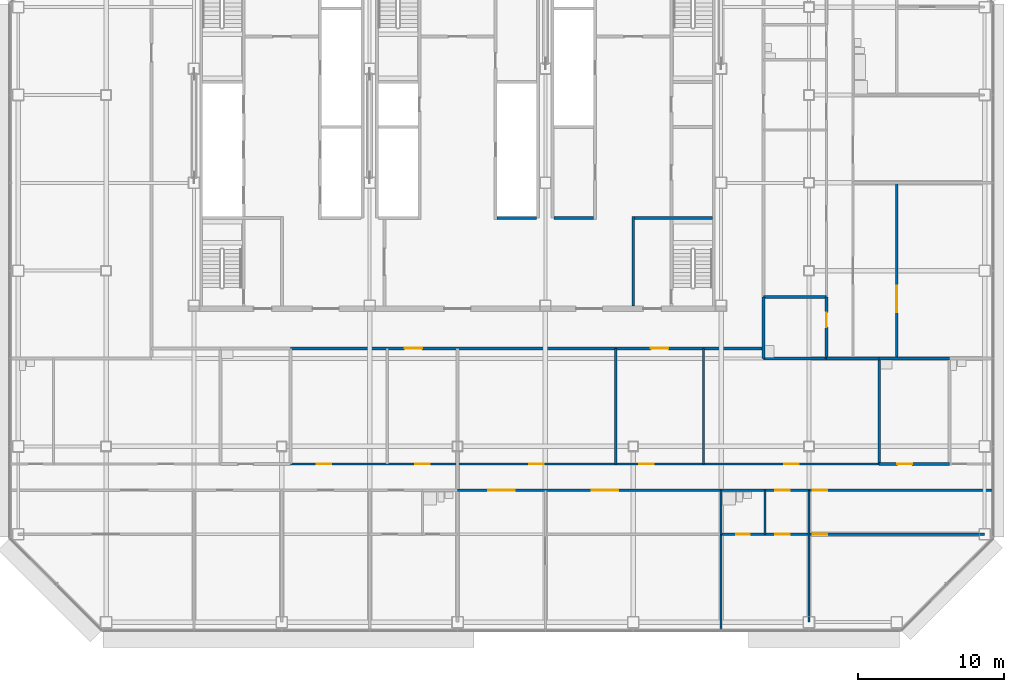
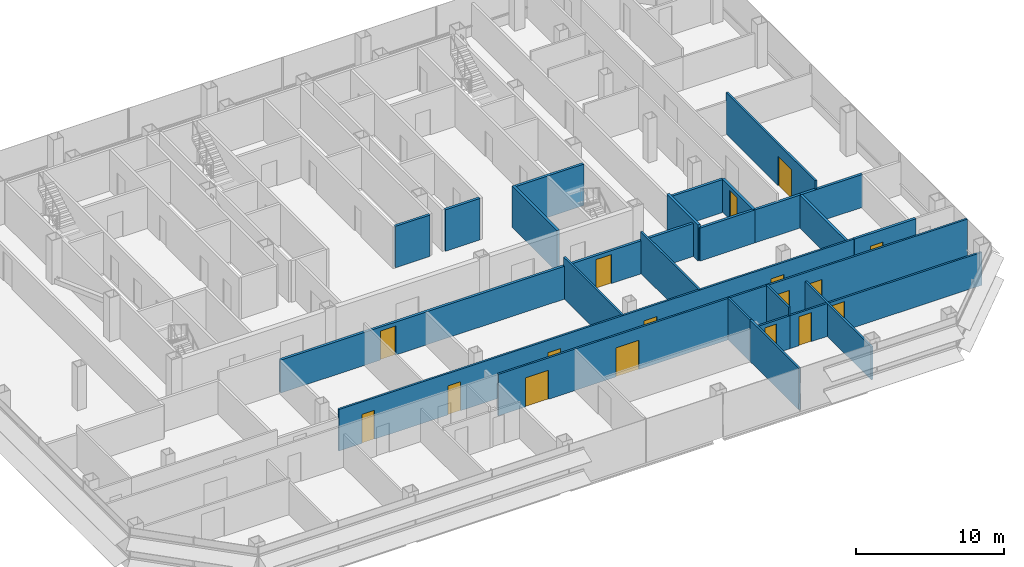
# One storey, part 20 of 25: 26 walls, 17 doors, 17 openings.
"""IFC4 building model written with IfcOpenShell, lengths in metres."""

from ifc_helpers import new_model, si_unit, direction, frame, frame_2d, origin, place, context, subcontext, project, spatial, rectangle, extrude, material, layer, layer_set, type_object, element, fill, save


model = new_model("IFC4")

# Units and contexts
model_context = context("Model", 3, precision=1e-05, world=origin(), true_north=direction((0.0, 1.0)))
body_context = subcontext(model_context, "Body", "Model", "MODEL_VIEW")
ifc_project = project(units=[si_unit("LENGTHUNIT", "METRE"), si_unit("AREAUNIT", "SQUARE_METRE"), si_unit("VOLUMEUNIT", "CUBIC_METRE"), si_unit("PLANEANGLEUNIT", "RADIAN"), si_unit("MASSUNIT", "GRAM", prefix="KILO")], contexts=[model_context])

# Site, building, storey
site_placement = place(None, origin())
site = spatial("IfcSite", under=ifc_project, at=site_placement, CompositionType="ELEMENT")
building_placement = place(site_placement, origin())
building = spatial("IfcBuilding", under=site, at=building_placement, Name="Sorahane Residences", CompositionType="ELEMENT")
storey_placement = place(building_placement, frame((0.0, 0.0, 99.800048828125)))
storey = spatial("IfcBuildingStorey", under=building, at=storey_placement, Name="L21", CompositionType="ELEMENT", Elevation=99.800048828125)

# Wall, openings, doors
ifc_material_1 = material(Name="Concrete blockwork C20 wall", Category="masonry")
ifc_layer_1 = layer(ifc_material_1, 0.199951171875)
ifc_layer_set_1 = layer_set([ifc_layer_1], Name="Corridor wall 200 EI 120")
wall_type_1 = type_object("IfcWallType", Name="Corridor wall 200 EI 120", PredefinedType="SOLIDWALL", material=ifc_layer_set_1)
wall_1_placement = place(storey_placement, frame((12.60009765625, 18.699951171875, 0.0), z_axis=(0.0, 0.0, 1.0), x_axis=(1.0, 0.0, 0.0)))
wall_1 = element("IfcWall", 1, at=wall_1_placement, inside=storey, type_object=wall_type_1, Name="L21 corridor wall", PredefinedType="SOLIDWALL", context=body_context, shape_type="SweptSolid", body=[
    extrude(rectangle(XDim=32.2998046875, YDim=0.199951171875, at=frame_2d((16.14990234375, 0.0))), origin(), (0.0, 0.0, 1.0), 2.719970703125),
])
opening_1_placement = place(wall_1_placement, frame((7.780029296875, 0.0, 0.0)))
opening_1 = element("IfcOpeningElement", 2, at=opening_1_placement, cuts=wall_1, Name="Opening L21-38", PredefinedType="OPENING", context=body_context, shape_type="SweptSolid", body=[
    extrude(rectangle(XDim=1.199951171875, YDim=2.39990234375, at=frame_2d((0.60009765625, 1.199951171875))), frame((0.0, 0.10986328125, 0.0), z_axis=(0.0, -1.0, 0.0), x_axis=(1.0, 0.0, 0.0)), (0.0, 0.0, 1.0), 0.219970703125),
])
opening_2_placement = place(wall_1_placement, frame((24.60009765625, 0.0, 0.0)))
opening_2 = element("IfcOpeningElement", 3, at=opening_2_placement, cuts=wall_1, Name="Opening L21-39", PredefinedType="OPENING", context=body_context, shape_type="SweptSolid", body=[
    extrude(rectangle(XDim=1.199951171875, YDim=2.39990234375, at=frame_2d((0.60009765625, 1.199951171875))), frame((0.0, 0.10986328125, 0.0), z_axis=(0.0, -1.0, 0.0), x_axis=(1.0, 0.0, 0.0)), (0.0, 0.0, 1.0), 0.219970703125),
])
ifc_material_2 = material(Name="Timber veneered fire door", Category="wood")
door_type_1 = type_object("IfcDoorType", Name="Flat entrance door 1200x2400 FD60", OperationType="NOTDEFINED", PredefinedType="DOOR", material=ifc_material_2)
door_1_placement = place(opening_1_placement, frame((1.199951171875, 0.0, 0.0), z_axis=(0.0, 0.0, 1.0), x_axis=(-1.0, 0.0, 0.0)))
door_1 = element("IfcDoor", 4, at=door_1_placement, inside=storey, type_object=door_type_1, Name="Flat entrance door L21-38", OperationType="SINGLE_SWING_LEFT", OverallHeight=2.39990234375, OverallWidth=1.199951171875, PredefinedType="DOOR", context=body_context, shape_type="SweptSolid", body=[
    extrude(rectangle(XDim=1.199951171875, YDim=2.39990234375, at=frame_2d((0.60009765625, 1.199951171875))), frame((0.0, 0.02490234375, 0.0), z_axis=(0.0, -1.0, 0.0), x_axis=(1.0, 0.0, 0.0)), (0.0, 0.0, 1.0), 0.050048828125),
])
fill(opening_1, door_1)
door_2_placement = place(opening_2_placement, frame((1.199951171875, 0.0, 0.0), z_axis=(0.0, 0.0, 1.0), x_axis=(-1.0, 0.0, 0.0)))
door_2 = element("IfcDoor", 5, at=door_2_placement, inside=storey, type_object=door_type_1, Name="Flat entrance door L21-39", OperationType="SINGLE_SWING_LEFT", OverallHeight=2.39990234375, OverallWidth=1.199951171875, PredefinedType="DOOR", context=body_context, shape_type="SweptSolid", body=[
    extrude(rectangle(XDim=1.199951171875, YDim=2.39990234375, at=frame_2d((0.60009765625, 1.199951171875))), frame((0.0, 0.02490234375, 0.0), z_axis=(0.0, -1.0, 0.0), x_axis=(1.0, 0.0, 0.0)), (0.0, 0.0, 1.0), 0.050048828125),
])
fill(opening_2, door_2)

# Walls
ifc_material_3 = material(Name="Concrete C30", Category="concrete")
ifc_layer_2 = layer(ifc_material_3, 0.199951171875)
ifc_layer_set_2 = layer_set([ifc_layer_2], Name="Front room wall 200 EI 120")
wall_type_2 = type_object("IfcWallType", Name="Front room wall 200 EI 120", PredefinedType="PARTITIONING", material=ifc_layer_set_2)
wall_2_placement = place(storey_placement, frame((36.0, 21.60009765625, 0.0), z_axis=(0.0, 0.0, 1.0), x_axis=(0.0, 1.0, 0.0)))
element("IfcWall", 6, at=wall_2_placement, inside=storey, type_object=wall_type_2, Name="L21 front room wall", PredefinedType="PARTITIONING", context=body_context, shape_type="SweptSolid", body=[
    extrude(rectangle(XDim=6.099853515625, YDim=0.199951171875, at=frame_2d((3.0498046875, 0.0))), origin(), (0.0, 0.0, 1.0), 3.419921875),
])
ifc_material_4 = material(Name="Concrete blockwork C20 wall", Category="masonry")
ifc_layer_3 = layer(ifc_material_4, 0.199951171875)
ifc_layer_set_3 = layer_set([ifc_layer_3], Name="Kitchen wall 200 EI 180")
wall_type_3 = type_object("IfcWallType", Name="Kitchen wall 200 EI 180", PredefinedType="SOLIDWALL", material=ifc_layer_set_3)
wall_3_placement = place(storey_placement, frame((44.89990234375, 18.0, 0.0), z_axis=(0.0, 0.0, 1.0), x_axis=(0.0, 1.0, 0.0)))
element("IfcWall", 7, at=wall_3_placement, inside=storey, type_object=wall_type_3, Name="L21 kitchen wall", PredefinedType="SOLIDWALL", context=body_context, shape_type="SweptSolid", body=[
    extrude(rectangle(XDim=4.199951171875, YDim=0.199951171875, at=frame_2d((2.10009765625, 0.0))), origin(), (0.0, 0.0, 1.0), 2.969970703125),
])

# Wall, opening, door
wall_4_placement = place(storey_placement, frame((49.199951171875, 18.0, 0.0), z_axis=(0.0, 0.0, 1.0), x_axis=(0.0, 1.0, 0.0)))
wall_4 = element("IfcWall", 8, at=wall_4_placement, inside=storey, type_object=wall_type_3, Name="L21 kitchen wall", PredefinedType="SOLIDWALL", context=body_context, shape_type="SweptSolid", body=[
    extrude(rectangle(XDim=4.199951171875, YDim=0.199951171875, at=frame_2d((2.10009765625, 0.0))), origin(), (0.0, 0.0, 1.0), 2.719970703125),
])
opening_3_placement = place(wall_4_placement, frame((2.139892578125, 0.0, 0.0)))
opening_3 = element("IfcOpeningElement", 9, at=opening_3_placement, cuts=wall_4, Name="Opening L21-27", PredefinedType="OPENING", context=body_context, shape_type="SweptSolid", body=[
    extrude(rectangle(XDim=1.0, YDim=2.39990234375, at=frame_2d((0.5, 1.199951171875))), frame((0.0, 0.10986328125, 0.0), z_axis=(0.0, -1.0, 0.0), x_axis=(1.0, 0.0, 0.0)), (0.0, 0.0, 1.0), 0.219970703125),
])
ifc_material_5 = material(Name="Steel", Category="steel")
door_type_2 = type_object("IfcDoorType", Name="Kitchen door 1000x2400 FD120", OperationType="NOTDEFINED", PredefinedType="DOOR", material=ifc_material_5)
door_3_placement = place(opening_3_placement, origin())
door_3 = element("IfcDoor", 10, at=door_3_placement, inside=storey, type_object=door_type_2, Name="Kitchen door L21-27", OperationType="SINGLE_SWING_LEFT", OverallHeight=2.39990234375, OverallWidth=1.0, PredefinedType="DOOR", context=body_context, shape_type="SweptSolid", body=[
    extrude(rectangle(XDim=1.0, YDim=2.39990234375, at=frame_2d((0.5, 1.199951171875))), frame((0.0, 0.02490234375, 0.0), z_axis=(0.0, -1.0, 0.0), x_axis=(1.0, 0.0, 0.0)), (0.0, 0.0, 1.0), 0.050048828125),
])
fill(opening_3, door_3)

# Wall
wall_5_placement = place(storey_placement, frame((52.800048828125, 10.800048828125, 0.0), z_axis=(0.0, 0.0, 1.0), x_axis=(0.0, 1.0, 0.0)))
element("IfcWall", 11, at=wall_5_placement, inside=storey, type_object=wall_type_3, Name="L21 kitchen wall", PredefinedType="SOLIDWALL", context=body_context, shape_type="SweptSolid", body=[
    extrude(rectangle(XDim=7.199951171875, YDim=0.199951171875, at=frame_2d((3.60009765625, 0.0))), origin(), (0.0, 0.0, 1.0), 2.719970703125),
])

# Wall, opening, door
wall_6_placement = place(storey_placement, frame((52.800048828125, 10.800048828125, 0.0), z_axis=(0.0, 0.0, 1.0), x_axis=(1.0, 0.0, 0.0)))
wall_6 = element("IfcWall", 12, at=wall_6_placement, inside=storey, type_object=wall_type_3, Name="L21 kitchen wall", PredefinedType="SOLIDWALL", context=body_context, shape_type="SweptSolid", body=[
    extrude(rectangle(XDim=4.800048828125, YDim=0.199951171875, at=frame_2d((2.39990234375, 0.0))), origin(), (0.0, 0.0, 1.0), 3.419921875),
])
opening_4_placement = place(wall_6_placement, frame((1.239990234375, 0.0, 0.0)))
opening_4 = element("IfcOpeningElement", 13, at=opening_4_placement, cuts=wall_6, Name="Opening L21-16", PredefinedType="OPENING", context=body_context, shape_type="SweptSolid", body=[
    extrude(rectangle(XDim=1.0, YDim=2.39990234375, at=frame_2d((0.5, 1.199951171875))), frame((0.0, 0.10986328125, 0.0), z_axis=(0.0, -1.0, 0.0), x_axis=(1.0, 0.0, 0.0)), (0.0, 0.0, 1.0), 0.219970703125),
])
door_4_placement = place(opening_4_placement, origin())
door_4 = element("IfcDoor", 14, at=door_4_placement, inside=storey, type_object=door_type_2, Name="Kitchen door L21-16", OperationType="SINGLE_SWING_LEFT", OverallHeight=2.39990234375, OverallWidth=1.0, PredefinedType="DOOR", context=body_context, shape_type="SweptSolid", body=[
    extrude(rectangle(XDim=1.0, YDim=2.39990234375, at=frame_2d((0.5, 1.199951171875))), frame((0.0, 0.02490234375, 0.0), z_axis=(0.0, -1.0, 0.0), x_axis=(1.0, 0.0, 0.0)), (0.0, 0.0, 1.0), 0.050048828125),
])
fill(opening_4, door_4)

# Walls
wall_7_placement = place(storey_placement, frame((44.89990234375, 18.0, 0.0), z_axis=(0.0, 0.0, 1.0), x_axis=(1.0, 0.0, 0.0)))
element("IfcWall", 15, at=wall_7_placement, inside=storey, type_object=wall_type_3, Name="L21 kitchen wall", PredefinedType="SOLIDWALL", context=body_context, shape_type="SweptSolid", body=[
    extrude(rectangle(XDim=4.300048828125, YDim=0.199951171875, at=frame_2d((2.14990234375, 0.0))), origin(), (0.0, 0.0, 1.0), 2.719970703125),
])
wall_8_placement = place(storey_placement, frame((52.800048828125, 18.0, 0.0), z_axis=(0.0, 0.0, 1.0), x_axis=(1.0, 0.0, 0.0)))
element("IfcWall", 16, at=wall_8_placement, inside=storey, type_object=wall_type_3, Name="L21 kitchen wall", PredefinedType="SOLIDWALL", context=body_context, shape_type="SweptSolid", body=[
    extrude(rectangle(XDim=4.800048828125, YDim=0.199951171875, at=frame_2d((2.39990234375, 0.0))), origin(), (0.0, 0.0, 1.0), 2.719970703125),
])
wall_9_placement = place(storey_placement, frame((44.89990234375, 22.199951171875, 0.0), z_axis=(0.0, 0.0, 1.0), x_axis=(1.0, 0.0, 0.0)))
element("IfcWall", 17, at=wall_9_placement, inside=storey, type_object=wall_type_3, Name="L21 kitchen wall", PredefinedType="SOLIDWALL", context=body_context, shape_type="SweptSolid", body=[
    extrude(rectangle(XDim=4.300048828125, YDim=0.199951171875, at=frame_2d((2.14990234375, 0.0))), origin(), (0.0, 0.0, 1.0), 2.719970703125),
])
ifc_material_6 = material(Name="Gypsum board partition on steel studs", Category="steel")
ifc_layer_4 = layer(ifc_material_6, 0.14990234375)
ifc_layer_set_4 = layer_set([ifc_layer_4], Name="Partition 150 EI 90")
wall_type_4 = type_object("IfcWallType", Name="Partition 150 EI 90", PredefinedType="PARTITIONING", material=ifc_layer_set_4)
for number, where, z_axis, x_axis, name in (
    (18, (34.800048828125, 10.800048828125, 0.0), (0.0, 0.0, 1.0), (0.0, 1.0, 0.0), "L21 partition"),
    (19, (40.800048828125, 10.800048828125, 0.0), (0.0, 0.0, 1.0), (0.0, 1.0, 0.0), "L21 partition"),
):
    element("IfcWall", number, at=place(storey_placement, frame(where, z_axis=z_axis, x_axis=x_axis)), inside=storey, type_object=wall_type_4, Name=name, PredefinedType="PARTITIONING", context=body_context, shape_type="SweptSolid", body=[
        extrude(rectangle(XDim=7.89990234375, YDim=0.14990234375, at=frame_2d((3.949951171875, 0.0))), origin(), (0.0, 0.0, 1.0), 3.419921875),
    ])
wall_10_placement = place(storey_placement, frame((42.0, -0.60009765625, 0.0), z_axis=(0.0, 0.0, 1.0), x_axis=(0.0, 1.0, 0.0)))
element("IfcWall", 20, at=wall_10_placement, inside=storey, type_object=wall_type_4, Name="L21 partition", PredefinedType="PARTITIONING", context=body_context, shape_type="SweptSolid", body=[
    extrude(rectangle(XDim=6.60009765625, YDim=0.14990234375, at=frame_2d((3.300048828125, 0.0))), origin(), (0.0, 0.0, 1.0), 3.419921875),
])
wall_11_placement = place(storey_placement, frame((48.0, 0.0, 0.0), z_axis=(0.0, 0.0, 1.0), x_axis=(0.0, 1.0, 0.0)))
element("IfcWall", 21, at=wall_11_placement, inside=storey, type_object=wall_type_4, Name="L21 partition", PredefinedType="PARTITIONING", context=body_context, shape_type="SweptSolid", body=[
    extrude(rectangle(XDim=9.0, YDim=0.14990234375, at=frame_2d((4.5, 0.0))), origin(), (0.0, 0.0, 1.0), 2.719970703125),
])

# Wall, opening, door
wall_12_placement = place(storey_placement, frame((54.0, 18.0, 0.0), z_axis=(0.0, 0.0, 1.0), x_axis=(0.0, 1.0, 0.0)))
wall_12 = element("IfcWall", 22, at=wall_12_placement, inside=storey, type_object=wall_type_4, Name="L21 partition", PredefinedType="PARTITIONING", context=body_context, shape_type="SweptSolid", body=[
    extrude(rectangle(XDim=12.0, YDim=0.14990234375, at=frame_2d((6.0, 0.0))), origin(), (0.0, 0.0, 1.0), 3.419921875),
])
opening_5_placement = place(wall_12_placement, frame((3.159912109375, 0.0, 0.0)))
opening_5 = element("IfcOpeningElement", 23, at=opening_5_placement, cuts=wall_12, Name="Opening L21-34", PredefinedType="OPENING", context=body_context, shape_type="SweptSolid", body=[
    extrude(rectangle(XDim=1.800048828125, YDim=2.39990234375, at=frame_2d((0.89990234375, 1.199951171875))), frame((0.0, 0.0849609375, 0.0), z_axis=(0.0, -1.0, 0.0), x_axis=(1.0, 0.0, 0.0)), (0.0, 0.0, 1.0), 0.169921875),
])
ifc_material_7 = material(Name="Timber veneered fire door", Category="wood")
door_type_3 = type_object("IfcDoorType", Name="Double door 1800x2400 FD30", OperationType="NOTDEFINED", PredefinedType="DOOR", material=ifc_material_7)
door_5_placement = place(opening_5_placement, frame((1.800048828125, 0.0, 0.0), z_axis=(0.0, 0.0, 1.0), x_axis=(-1.0, 0.0, 0.0)))
door_5 = element("IfcDoor", 24, at=door_5_placement, inside=storey, type_object=door_type_3, Name="Double door L21-34", OperationType="SINGLE_SWING_LEFT", OverallHeight=2.39990234375, OverallWidth=1.800048828125, PredefinedType="DOOR", context=body_context, shape_type="SweptSolid", body=[
    extrude(rectangle(XDim=1.800048828125, YDim=2.39990234375, at=frame_2d((0.89990234375, 1.199951171875))), frame((0.0, 0.02490234375, 0.0), z_axis=(0.0, -1.0, 0.0), x_axis=(1.0, 0.0, 0.0)), (0.0, 0.0, 1.0), 0.050048828125),
])
fill(opening_5, door_5)

# Wall, openings, doors
wall_13_placement = place(storey_placement, frame((12.60009765625, 10.800048828125, 0.0), z_axis=(0.0, 0.0, 1.0), x_axis=(1.0, 0.0, 0.0)))
wall_13 = element("IfcWall", 25, at=wall_13_placement, inside=storey, type_object=wall_type_4, Name="L21 partition", PredefinedType="PARTITIONING", context=body_context, shape_type="SweptSolid", body=[
    extrude(rectangle(XDim=40.199951171875, YDim=0.14990234375, at=frame_2d((20.10009765625, 0.0))), origin(), (0.0, 0.0, 1.0), 3.419921875),
])
opening_6_placement = place(wall_13_placement, frame((8.5, 0.0, 0.0)))
opening_6 = element("IfcOpeningElement", 26, at=opening_6_placement, cuts=wall_13, Name="Opening L21-01", PredefinedType="OPENING", context=body_context, shape_type="SweptSolid", body=[
    extrude(rectangle(XDim=1.0, YDim=2.39990234375, at=frame_2d((0.5, 1.199951171875))), frame((0.0, 0.0849609375, 0.0), z_axis=(0.0, -1.0, 0.0), x_axis=(1.0, 0.0, 0.0)), (0.0, 0.0, 1.0), 0.169921875),
])
opening_7_placement = place(wall_13_placement, frame((1.780029296875, 0.0, 0.0)))
opening_7 = element("IfcOpeningElement", 27, at=opening_7_placement, cuts=wall_13, Name="Opening L21-05", PredefinedType="OPENING", context=body_context, shape_type="SweptSolid", body=[
    extrude(rectangle(XDim=1.0, YDim=2.39990234375, at=frame_2d((0.5, 1.199951171875))), frame((0.0, 0.0849609375, 0.0), z_axis=(0.0, -1.0, 0.0), x_axis=(1.0, 0.0, 0.0)), (0.0, 0.0, 1.0), 0.169921875),
])
opening_8_placement = place(wall_13_placement, frame((23.800048828125, 0.0, 0.0)))
opening_8 = element("IfcOpeningElement", 28, at=opening_8_placement, cuts=wall_13, Name="Opening L21-13", PredefinedType="OPENING", context=body_context, shape_type="SweptSolid", body=[
    extrude(rectangle(XDim=1.0, YDim=2.39990234375, at=frame_2d((0.5, 1.199951171875))), frame((0.0, 0.0849609375, 0.0), z_axis=(0.0, -1.0, 0.0), x_axis=(1.0, 0.0, 0.0)), (0.0, 0.0, 1.0), 0.169921875),
])
opening_9_placement = place(wall_13_placement, frame((16.300048828125, 0.0, 0.0)))
opening_9 = element("IfcOpeningElement", 29, at=opening_9_placement, cuts=wall_13, Name="Opening L21-14", PredefinedType="OPENING", context=body_context, shape_type="SweptSolid", body=[
    extrude(rectangle(XDim=1.0, YDim=2.39990234375, at=frame_2d((0.5, 1.199951171875))), frame((0.0, 0.0849609375, 0.0), z_axis=(0.0, -1.0, 0.0), x_axis=(1.0, 0.0, 0.0)), (0.0, 0.0, 1.0), 0.169921875),
])
opening_10_placement = place(wall_13_placement, frame((33.699951171875, 0.0, 0.0)))
opening_10 = element("IfcOpeningElement", 30, at=opening_10_placement, cuts=wall_13, Name="Opening L21-15", PredefinedType="OPENING", context=body_context, shape_type="SweptSolid", body=[
    extrude(rectangle(XDim=1.0, YDim=2.39990234375, at=frame_2d((0.5, 1.199951171875))), frame((0.0, 0.0849609375, 0.0), z_axis=(0.0, -1.0, 0.0), x_axis=(1.0, 0.0, 0.0)), (0.0, 0.0, 1.0), 0.169921875),
])
ifc_material_8 = material(Name="Timber veneered fire door", Category="wood")
door_type_4 = type_object("IfcDoorType", Name="Room door 1000x2400 FD30", OperationType="NOTDEFINED", PredefinedType="DOOR", material=ifc_material_8)
door_6_placement = place(opening_6_placement, frame((1.0, 0.0, 0.0), z_axis=(0.0, 0.0, 1.0), x_axis=(-1.0, 0.0, 0.0)))
door_6 = element("IfcDoor", 31, at=door_6_placement, inside=storey, type_object=door_type_4, Name="Room door L21-01", OperationType="SINGLE_SWING_RIGHT", OverallHeight=2.39990234375, OverallWidth=1.0, PredefinedType="DOOR", context=body_context, shape_type="SweptSolid", body=[
    extrude(rectangle(XDim=1.0, YDim=2.39990234375, at=frame_2d((0.5, 1.199951171875))), frame((0.0, 0.02490234375, 0.0), z_axis=(0.0, -1.0, 0.0), x_axis=(1.0, 0.0, 0.0)), (0.0, 0.0, 1.0), 0.050048828125),
])
fill(opening_6, door_6)
door_7_placement = place(opening_7_placement, origin())
door_7 = element("IfcDoor", 32, at=door_7_placement, inside=storey, type_object=door_type_4, Name="Room door L21-05", OperationType="SINGLE_SWING_RIGHT", OverallHeight=2.39990234375, OverallWidth=1.0, PredefinedType="DOOR", context=body_context, shape_type="SweptSolid", body=[
    extrude(rectangle(XDim=1.0, YDim=2.39990234375, at=frame_2d((0.5, 1.199951171875))), frame((0.0, 0.02490234375, 0.0), z_axis=(0.0, -1.0, 0.0), x_axis=(1.0, 0.0, 0.0)), (0.0, 0.0, 1.0), 0.050048828125),
])
fill(opening_7, door_7)
door_8_placement = place(opening_8_placement, frame((1.0, 0.0, 0.0), z_axis=(0.0, 0.0, 1.0), x_axis=(-1.0, 0.0, 0.0)))
door_8 = element("IfcDoor", 33, at=door_8_placement, inside=storey, type_object=door_type_4, Name="Room door L21-13", OperationType="SINGLE_SWING_RIGHT", OverallHeight=2.39990234375, OverallWidth=1.0, PredefinedType="DOOR", context=body_context, shape_type="SweptSolid", body=[
    extrude(rectangle(XDim=1.0, YDim=2.39990234375, at=frame_2d((0.5, 1.199951171875))), frame((0.0, 0.02490234375, 0.0), z_axis=(0.0, -1.0, 0.0), x_axis=(1.0, 0.0, 0.0)), (0.0, 0.0, 1.0), 0.050048828125),
])
fill(opening_8, door_8)
door_9_placement = place(opening_9_placement, origin())
door_9 = element("IfcDoor", 34, at=door_9_placement, inside=storey, type_object=door_type_4, Name="Room door L21-14", OperationType="SINGLE_SWING_LEFT", OverallHeight=2.39990234375, OverallWidth=1.0, PredefinedType="DOOR", context=body_context, shape_type="SweptSolid", body=[
    extrude(rectangle(XDim=1.0, YDim=2.39990234375, at=frame_2d((0.5, 1.199951171875))), frame((0.0, 0.02490234375, 0.0), z_axis=(0.0, -1.0, 0.0), x_axis=(1.0, 0.0, 0.0)), (0.0, 0.0, 1.0), 0.050048828125),
])
fill(opening_9, door_9)
door_10_placement = place(opening_10_placement, origin())
door_10 = element("IfcDoor", 35, at=door_10_placement, inside=storey, type_object=door_type_4, Name="Room door L21-15", OperationType="SINGLE_SWING_RIGHT", OverallHeight=2.39990234375, OverallWidth=1.0, PredefinedType="DOOR", context=body_context, shape_type="SweptSolid", body=[
    extrude(rectangle(XDim=1.0, YDim=2.39990234375, at=frame_2d((0.5, 1.199951171875))), frame((0.0, 0.02490234375, 0.0), z_axis=(0.0, -1.0, 0.0), x_axis=(1.0, 0.0, 0.0)), (0.0, 0.0, 1.0), 0.050048828125),
])
fill(opening_10, door_10)

wall_14_placement = place(storey_placement, frame((45.0, 6.0, 0.0), z_axis=(0.0, 0.0, 1.0), x_axis=(1.0, 0.0, 0.0)))
wall_14 = element("IfcWall", 36, at=wall_14_placement, inside=storey, type_object=wall_type_4, Name="L21 partition", PredefinedType="PARTITIONING", context=body_context, shape_type="SweptSolid", body=[
    extrude(rectangle(XDim=15.0, YDim=0.14990234375, at=frame_2d((7.5, 0.0))), origin(), (0.0, 0.0, 1.0), 2.719970703125),
])
opening_11_placement = place(wall_14_placement, frame((0.699951171875, 0.0, 0.0)))
opening_11 = element("IfcOpeningElement", 37, at=opening_11_placement, cuts=wall_14, Name="Opening L21-23", PredefinedType="OPENING", context=body_context, shape_type="SweptSolid", body=[
    extrude(rectangle(XDim=1.0, YDim=2.39990234375, at=frame_2d((0.5, 1.199951171875))), frame((0.0, 0.0849609375, 0.0), z_axis=(0.0, -1.0, 0.0), x_axis=(1.0, 0.0, 0.0)), (0.0, 0.0, 1.0), 0.169921875),
])
opening_12_placement = place(wall_14_placement, frame((3.25, 0.0, 0.0)))
opening_12 = element("IfcOpeningElement", 38, at=opening_12_placement, cuts=wall_14, Name="Opening L21-25", PredefinedType="OPENING", context=body_context, shape_type="SweptSolid", body=[
    extrude(rectangle(XDim=1.0, YDim=2.39990234375, at=frame_2d((0.5, 1.199951171875))), frame((0.0, 0.0849609375, 0.0), z_axis=(0.0, -1.0, 0.0), x_axis=(1.0, 0.0, 0.0)), (0.0, 0.0, 1.0), 0.169921875),
])
door_11_placement = place(opening_11_placement, frame((1.0, 0.0, 0.0), z_axis=(0.0, 0.0, 1.0), x_axis=(-1.0, 0.0, 0.0)))
door_11 = element("IfcDoor", 39, at=door_11_placement, inside=storey, type_object=door_type_4, Name="Room door L21-23", OperationType="SINGLE_SWING_RIGHT", OverallHeight=2.39990234375, OverallWidth=1.0, PredefinedType="DOOR", context=body_context, shape_type="SweptSolid", body=[
    extrude(rectangle(XDim=1.0, YDim=2.39990234375, at=frame_2d((0.5, 1.199951171875))), frame((0.0, 0.02490234375, 0.0), z_axis=(0.0, -1.0, 0.0), x_axis=(1.0, 0.0, 0.0)), (0.0, 0.0, 1.0), 0.050048828125),
])
fill(opening_11, door_11)
door_12_placement = place(opening_12_placement, frame((1.0, 0.0, 0.0), z_axis=(0.0, 0.0, 1.0), x_axis=(-1.0, 0.0, 0.0)))
door_12 = element("IfcDoor", 40, at=door_12_placement, inside=storey, type_object=door_type_4, Name="Room door L21-25", OperationType="SINGLE_SWING_LEFT", OverallHeight=2.39990234375, OverallWidth=1.0, PredefinedType="DOOR", context=body_context, shape_type="SweptSolid", body=[
    extrude(rectangle(XDim=1.0, YDim=2.39990234375, at=frame_2d((0.5, 1.199951171875))), frame((0.0, 0.02490234375, 0.0), z_axis=(0.0, -1.0, 0.0), x_axis=(1.0, 0.0, 0.0)), (0.0, 0.0, 1.0), 0.050048828125),
])
fill(opening_12, door_12)

wall_15_placement = place(storey_placement, frame((24.0, 9.0, 0.0), z_axis=(0.0, 0.0, 1.0), x_axis=(1.0, 0.0, 0.0)))
wall_15 = element("IfcWall", 41, at=wall_15_placement, inside=storey, type_object=wall_type_4, Name="L21 partition", PredefinedType="PARTITIONING", context=body_context, shape_type="SweptSolid", body=[
    extrude(rectangle(XDim=18.0, YDim=0.14990234375, at=frame_2d((9.0, 0.0))), origin(), (0.0, 0.0, 1.0), 3.419921875),
])
opening_13_placement = place(wall_15_placement, frame((2.10009765625, 0.0, 0.0)))
opening_13 = element("IfcOpeningElement", 42, at=opening_13_placement, cuts=wall_15, Name="Opening L21-18", PredefinedType="OPENING", context=body_context, shape_type="SweptSolid", body=[
    extrude(rectangle(XDim=1.800048828125, YDim=2.39990234375, at=frame_2d((0.89990234375, 1.199951171875))), frame((0.0, 0.0849609375, 0.0), z_axis=(0.0, -1.0, 0.0), x_axis=(1.0, 0.0, 0.0)), (0.0, 0.0, 1.0), 0.169921875),
])
opening_14_placement = place(wall_15_placement, frame((9.159912109375, 0.0, 0.0)))
opening_14 = element("IfcOpeningElement", 43, at=opening_14_placement, cuts=wall_15, Name="Opening L21-20", PredefinedType="OPENING", context=body_context, shape_type="SweptSolid", body=[
    extrude(rectangle(XDim=1.800048828125, YDim=2.39990234375, at=frame_2d((0.89990234375, 1.199951171875))), frame((0.0, 0.0849609375, 0.0), z_axis=(0.0, -1.0, 0.0), x_axis=(1.0, 0.0, 0.0)), (0.0, 0.0, 1.0), 0.169921875),
])
door_13_placement = place(opening_13_placement, frame((1.800048828125, 0.0, 0.0), z_axis=(0.0, 0.0, 1.0), x_axis=(-1.0, 0.0, 0.0)))
door_13 = element("IfcDoor", 44, at=door_13_placement, inside=storey, type_object=door_type_3, Name="Double door L21-18", OperationType="SINGLE_SWING_LEFT", OverallHeight=2.39990234375, OverallWidth=1.800048828125, PredefinedType="DOOR", context=body_context, shape_type="SweptSolid", body=[
    extrude(rectangle(XDim=1.800048828125, YDim=2.39990234375, at=frame_2d((0.89990234375, 1.199951171875))), frame((0.0, 0.02490234375, 0.0), z_axis=(0.0, -1.0, 0.0), x_axis=(1.0, 0.0, 0.0)), (0.0, 0.0, 1.0), 0.050048828125),
])
fill(opening_13, door_13)
door_14_placement = place(opening_14_placement, frame((1.800048828125, 0.0, 0.0), z_axis=(0.0, 0.0, 1.0), x_axis=(-1.0, 0.0, 0.0)))
door_14 = element("IfcDoor", 45, at=door_14_placement, inside=storey, type_object=door_type_3, Name="Double door L21-20", OperationType="SINGLE_SWING_RIGHT", OverallHeight=2.39990234375, OverallWidth=1.800048828125, PredefinedType="DOOR", context=body_context, shape_type="SweptSolid", body=[
    extrude(rectangle(XDim=1.800048828125, YDim=2.39990234375, at=frame_2d((0.89990234375, 1.199951171875))), frame((0.0, 0.02490234375, 0.0), z_axis=(0.0, -1.0, 0.0), x_axis=(1.0, 0.0, 0.0)), (0.0, 0.0, 1.0), 0.050048828125),
])
fill(opening_14, door_14)

wall_16_placement = place(storey_placement, frame((45.0, 9.0, 0.0), z_axis=(0.0, 0.0, 1.0), x_axis=(1.0, 0.0, 0.0)))
wall_16 = element("IfcWall", 46, at=wall_16_placement, inside=storey, type_object=wall_type_4, Name="L21 partition", PredefinedType="PARTITIONING", context=body_context, shape_type="SweptSolid", body=[
    extrude(rectangle(XDim=15.60009765625, YDim=0.14990234375, at=frame_2d((7.800048828125, 0.0))), origin(), (0.0, 0.0, 1.0), 3.419921875),
])
opening_15_placement = place(wall_16_placement, frame((0.699951171875, 0.0, 0.0)))
opening_15 = element("IfcOpeningElement", 47, at=opening_15_placement, cuts=wall_16, Name="Opening L21-21", PredefinedType="OPENING", context=body_context, shape_type="SweptSolid", body=[
    extrude(rectangle(XDim=1.0, YDim=2.39990234375, at=frame_2d((0.5, 1.199951171875))), frame((0.0, 0.0849609375, 0.0), z_axis=(0.0, -1.0, 0.0), x_axis=(1.0, 0.0, 0.0)), (0.0, 0.0, 1.0), 0.169921875),
])
opening_16_placement = place(wall_16_placement, frame((3.25, 0.0, 0.0)))
opening_16 = element("IfcOpeningElement", 48, at=opening_16_placement, cuts=wall_16, Name="Opening L21-22", PredefinedType="OPENING", context=body_context, shape_type="SweptSolid", body=[
    extrude(rectangle(XDim=1.0, YDim=2.39990234375, at=frame_2d((0.5, 1.199951171875))), frame((0.0, 0.0849609375, 0.0), z_axis=(0.0, -1.0, 0.0), x_axis=(1.0, 0.0, 0.0)), (0.0, 0.0, 1.0), 0.169921875),
])
door_15_placement = place(opening_15_placement, frame((1.0, 0.0, 0.0), z_axis=(0.0, 0.0, 1.0), x_axis=(-1.0, 0.0, 0.0)))
door_15 = element("IfcDoor", 49, at=door_15_placement, inside=storey, type_object=door_type_4, Name="Room door L21-21", OperationType="SINGLE_SWING_RIGHT", OverallHeight=2.39990234375, OverallWidth=1.0, PredefinedType="DOOR", context=body_context, shape_type="SweptSolid", body=[
    extrude(rectangle(XDim=1.0, YDim=2.39990234375, at=frame_2d((0.5, 1.199951171875))), frame((0.0, 0.02490234375, 0.0), z_axis=(0.0, -1.0, 0.0), x_axis=(1.0, 0.0, 0.0)), (0.0, 0.0, 1.0), 0.050048828125),
])
fill(opening_15, door_15)
door_16_placement = place(opening_16_placement, frame((1.0, 0.0, 0.0), z_axis=(0.0, 0.0, 1.0), x_axis=(-1.0, 0.0, 0.0)))
door_16 = element("IfcDoor", 50, at=door_16_placement, inside=storey, type_object=door_type_4, Name="Room door L21-22", OperationType="SINGLE_SWING_LEFT", OverallHeight=2.39990234375, OverallWidth=1.0, PredefinedType="DOOR", context=body_context, shape_type="SweptSolid", body=[
    extrude(rectangle(XDim=1.0, YDim=2.39990234375, at=frame_2d((0.5, 1.199951171875))), frame((0.0, 0.02490234375, 0.0), z_axis=(0.0, -1.0, 0.0), x_axis=(1.0, 0.0, 0.0)), (0.0, 0.0, 1.0), 0.050048828125),
])
fill(opening_16, door_16)

# Walls
ifc_material_9 = material(Name="Concrete blockwork C20 wall", Category="masonry")
ifc_layer_5 = layer(ifc_material_9, 0.199951171875)
ifc_layer_set_5 = layer_set([ifc_layer_5], Name="Party wall 200 EI 120")
wall_type_5 = type_object("IfcWallType", Name="Party wall 200 EI 120", PredefinedType="SOLIDWALL", material=ifc_layer_set_5)
wall_17_placement = place(storey_placement, frame((49.199951171875, 18.0, 0.0), z_axis=(0.0, 0.0, 1.0), x_axis=(1.0, 0.0, 0.0)))
element("IfcWall", 51, at=wall_17_placement, inside=storey, type_object=wall_type_5, Name="L21 party wall", PredefinedType="SOLIDWALL", context=body_context, shape_type="SweptSolid", body=[
    extrude(rectangle(XDim=3.60009765625, YDim=0.199951171875, at=frame_2d((1.800048828125, 0.0))), origin(), (0.0, 0.0, 1.0), 2.719970703125),
])
ifc_material_10 = material(Name="Concrete C30", Category="concrete")
ifc_layer_6 = layer(ifc_material_10, 0.199951171875)
ifc_layer_set_6 = layer_set([ifc_layer_6], Name="Riser shaft wall 200 EI 120")
wall_type_6 = type_object("IfcWallType", Name="Riser shaft wall 200 EI 120", PredefinedType="SOLIDWALL", material=ifc_layer_set_6)
wall_18_placement = place(storey_placement, frame((26.699951171875, 27.60009765625, 0.0), z_axis=(0.0, 0.0, 1.0), x_axis=(1.0, 0.0, 0.0)))
element("IfcWall", 52, at=wall_18_placement, inside=storey, type_object=wall_type_6, Name="L21 riser wall", PredefinedType="SOLIDWALL", context=body_context, shape_type="SweptSolid", body=[
    extrude(rectangle(XDim=2.699951171875, YDim=0.199951171875, at=frame_2d((1.35009765625, 0.0))), origin(), (0.0, 0.0, 1.0), 3.419921875),
])
ifc_material_11 = material(Name="Concrete C30", Category="concrete")
ifc_layer_7 = layer(ifc_material_11, 0.199951171875)
ifc_layer_set_7 = layer_set([ifc_layer_7], Name="Service room partition 200 EI 60")
wall_type_7 = type_object("IfcWallType", Name="Service room partition 200 EI 60", PredefinedType="PARTITIONING", material=ifc_layer_set_7)
wall_19_placement = place(storey_placement, frame((30.60009765625, 27.60009765625, 0.0), z_axis=(0.0, 0.0, 1.0), x_axis=(1.0, 0.0, 0.0)))
element("IfcWall", 53, at=wall_19_placement, inside=storey, type_object=wall_type_7, Name="L21 service room wall", PredefinedType="PARTITIONING", context=body_context, shape_type="SweptSolid", body=[
    extrude(rectangle(XDim=2.699951171875, YDim=0.199951171875, at=frame_2d((1.35009765625, 0.0))), origin(), (0.0, 0.0, 1.0), 3.419921875),
])
ifc_material_12 = material(Name="Concrete C30", Category="concrete")
ifc_layer_8 = layer(ifc_material_12, 0.199951171875)
ifc_layer_set_8 = layer_set([ifc_layer_8], Name="Stair enclosure wall 200 EI 120")
wall_type_8 = type_object("IfcWallType", Name="Stair enclosure wall 200 EI 120", PredefinedType="SOLIDWALL", material=ifc_layer_set_8)
wall_20_placement = place(storey_placement, frame((36.10009765625, 27.60009765625, 0.0), z_axis=(0.0, 0.0, 1.0), x_axis=(1.0, 0.0, 0.0)))
element("IfcWall", 54, at=wall_20_placement, inside=storey, type_object=wall_type_8, Name="L21 stair enclosure wall", PredefinedType="SOLIDWALL", context=body_context, shape_type="SweptSolid", body=[
    extrude(rectangle(XDim=5.2998046875, YDim=0.199951171875, at=frame_2d((2.64990234375, 0.0))), origin(), (0.0, 0.0, 1.0), 3.419921875),
])
ifc_material_13 = material(Name="Gypsum board partition on steel studs", Category="steel")
ifc_layer_9 = layer(ifc_material_13, 0.14990234375)
ifc_layer_set_9 = layer_set([ifc_layer_9], Name="Wet wall 150 EI 90")
wall_type_9 = type_object("IfcWallType", Name="Wet wall 150 EI 90", PredefinedType="PARTITIONING", material=ifc_layer_set_9)
for number, where, z_axis, x_axis, name in (
    (55, (42.0, 6.0, 0.0), (0.0, 0.0, 1.0), (0.0, 1.0, 0.0), "L21 wet wall"),
    (56, (45.0, 6.0, 0.0), (0.0, 0.0, 1.0), (0.0, 1.0, 0.0), "L21 wet wall"),
):
    element("IfcWall", number, at=place(storey_placement, frame(where, z_axis=z_axis, x_axis=x_axis)), inside=storey, type_object=wall_type_9, Name=name, PredefinedType="PARTITIONING", context=body_context, shape_type="SweptSolid", body=[
        extrude(rectangle(XDim=3.0, YDim=0.14990234375, at=frame_2d((1.5, 0.0))), origin(), (0.0, 0.0, 1.0), 3.419921875),
    ])

# Wall, opening, door
wall_21_placement = place(storey_placement, frame((42.0, 6.0, 0.0), z_axis=(0.0, 0.0, 1.0), x_axis=(1.0, 0.0, 0.0)))
wall_21 = element("IfcWall", 57, at=wall_21_placement, inside=storey, type_object=wall_type_9, Name="L21 wet wall", PredefinedType="PARTITIONING", context=body_context, shape_type="SweptSolid", body=[
    extrude(rectangle(XDim=3.0, YDim=0.14990234375, at=frame_2d((1.5, 0.0))), origin(), (0.0, 0.0, 1.0), 2.719970703125),
])
opening_17_placement = place(wall_21_placement, frame((1.050048828125, 0.0, 0.0)))
opening_17 = element("IfcOpeningElement", 58, at=opening_17_placement, cuts=wall_21, Name="Opening L21-24", PredefinedType="OPENING", context=body_context, shape_type="SweptSolid", body=[
    extrude(rectangle(XDim=0.89990234375, YDim=2.39990234375, at=frame_2d((0.449951171875, 1.199951171875))), frame((0.0, 0.0849609375, 0.0), z_axis=(0.0, -1.0, 0.0), x_axis=(1.0, 0.0, 0.0)), (0.0, 0.0, 1.0), 0.169921875),
])
ifc_material_14 = material(Name="Timber veneered fire door", Category="wood")
door_type_5 = type_object("IfcDoorType", Name="Bathroom door 900x2400 FD30", OperationType="NOTDEFINED", PredefinedType="DOOR", material=ifc_material_14)
door_17_placement = place(opening_17_placement, frame((0.89990234375, 0.0, 0.0), z_axis=(0.0, 0.0, 1.0), x_axis=(-1.0, 0.0, 0.0)))
door_17 = element("IfcDoor", 59, at=door_17_placement, inside=storey, type_object=door_type_5, Name="Bathroom door L21-24", OperationType="SINGLE_SWING_RIGHT", OverallHeight=2.39990234375, OverallWidth=0.89990234375, PredefinedType="DOOR", context=body_context, shape_type="SweptSolid", body=[
    extrude(rectangle(XDim=0.89990234375, YDim=2.39990234375, at=frame_2d((0.449951171875, 1.199951171875))), frame((0.0, 0.02490234375, 0.0), z_axis=(0.0, -1.0, 0.0), x_axis=(1.0, 0.0, 0.0)), (0.0, 0.0, 1.0), 0.050048828125),
])
fill(opening_17, door_17)

# Wall
wall_22_placement = place(storey_placement, frame((42.0, 9.0, 0.0), z_axis=(0.0, 0.0, 1.0), x_axis=(1.0, 0.0, 0.0)))
element("IfcWall", 60, at=wall_22_placement, inside=storey, type_object=wall_type_9, Name="L21 wet wall", PredefinedType="PARTITIONING", context=body_context, shape_type="SweptSolid", body=[
    extrude(rectangle(XDim=3.0, YDim=0.14990234375, at=frame_2d((1.5, 0.0))), origin(), (0.0, 0.0, 1.0), 3.419921875),
])

save(model, "model.ifc")
